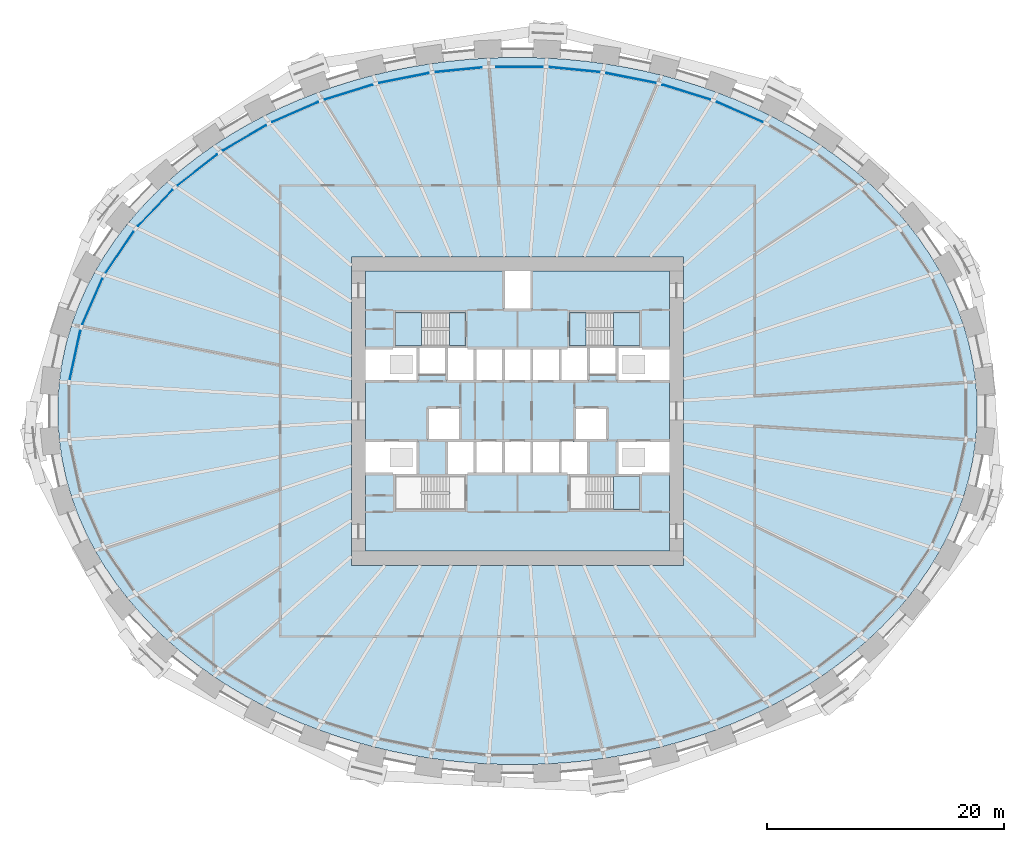
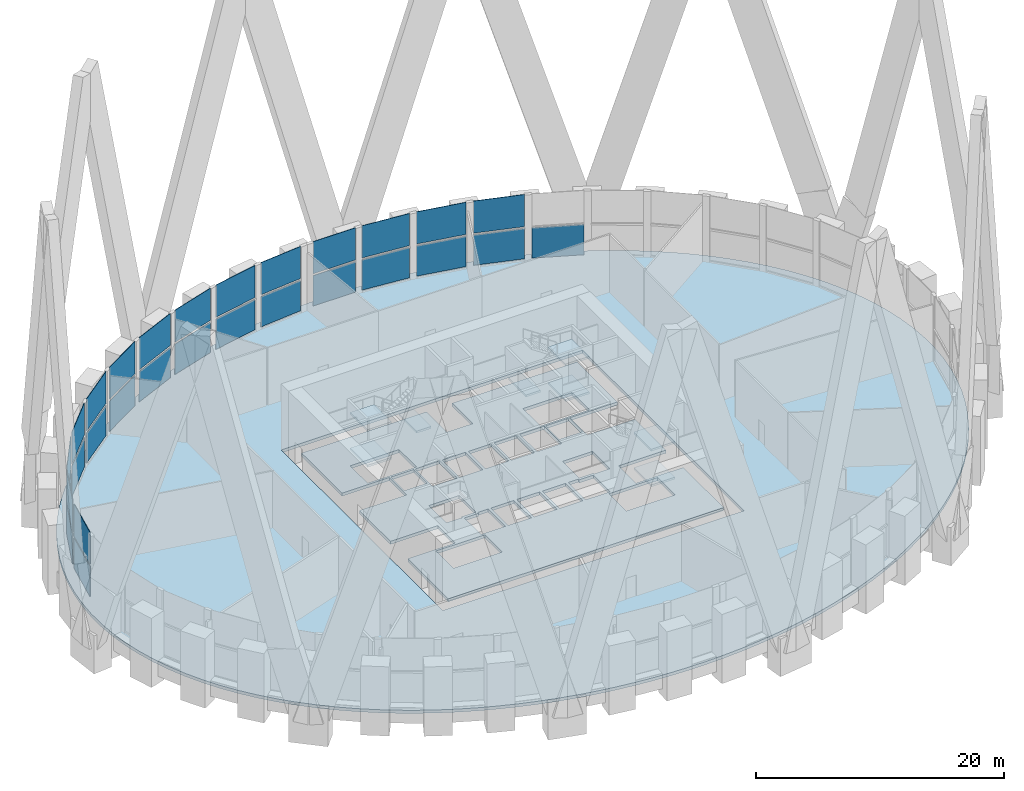
# One storey, part 7 of 17: 29 plates, 10 slabs, 5 elements without a shape of their own.
"""IFC4 building model written with IfcOpenShell, lengths in metres."""

from ifc_helpers import new_model, si_unit, direction, frame, origin, origin_2d, place, context, subcontext, project, spatial, polyline, rectangle, outline, extrude, source, transform, mapped, material, layer, layer_set, type_object, element, aggregate, save


model = new_model("IFC4")

# Units and contexts
model_context = context("Model", 3, precision=1e-05, world=origin(), true_north=direction((0.0, 1.0)))
body_context = subcontext(model_context, "Body", "Model", "MODEL_VIEW")
ifc_project = project(units=[si_unit("LENGTHUNIT", "METRE"), si_unit("AREAUNIT", "SQUARE_METRE"), si_unit("VOLUMEUNIT", "CUBIC_METRE"), si_unit("PLANEANGLEUNIT", "RADIAN"), si_unit("MASSUNIT", "GRAM", prefix="KILO")], contexts=[model_context])

# Site, building, storey
site_placement = place(None, origin())
site = spatial("IfcSite", under=ifc_project, at=site_placement, CompositionType="ELEMENT")
building_placement = place(site_placement, origin())
building = spatial("IfcBuilding", under=site, at=building_placement, Name="Embergate Tower", CompositionType="ELEMENT")
storey_placement = place(building_placement, frame((0.0, 0.0, 125.0)))
storey = spatial("IfcBuildingStorey", under=building, at=storey_placement, Name="L27", CompositionType="ELEMENT", Elevation=125.0)

# Slab
ifc_material_1 = material(Name="Concrete C50", Category="concrete")
ifc_layer_1 = layer(ifc_material_1, 0.300048828125)
ifc_layer_set_1 = layer_set([ifc_layer_1], Name="Concrete C50")
slab_type_1 = type_object("IfcSlabType", Name="Sky lobby floor slab C50 300", PredefinedType="FLOOR", material=ifc_layer_set_1)
shared_shape_1 = source(origin(), body_context, "Body", "SweptSolid", [
    extrude(outline(polyline([(0.0, 0.0), (1.63818359375, 0.0), (3.276123046875, 0.052978515625), (4.9140625, 0.16015625), (6.545166015625, 0.320068359375), (8.166015625, 0.5341796875), (9.7890625, 0.802978515625), (11.39599609375, 1.125), (12.983154296875, 1.5), (14.573974609375, 1.93408203125), (16.13916015625, 2.422119140625), (17.674072265625, 2.961181640625), (19.212158203125, 3.565185546875), (20.714111328125, 4.22216796875), (22.176025390625, 4.928955078125), (23.635986328125, 5.708984375), (25.049072265625, 6.5390625), (26.4111328125, 7.419189453125), (27.76318359375, 8.379150390625), (29.05517578125, 9.386962890625), (30.281982421875, 10.441162109375), (31.488037109375, 11.58203125), (32.6181640625, 12.76806640625), (33.671142578125, 13.9951171875), (34.68212890625, 15.31103515625), (35.60302734375, 16.6650390625), (36.43212890625, 18.053955078125), (37.192138671875, 19.525146484375), (37.85009765625, 21.025146484375), (38.403076171875, 22.549072265625), (38.860107421875, 24.133056640625), (39.205078125, 25.733154296875), (39.43603515625, 27.34619140625), (39.552001953125, 28.97998046875), (39.552001953125, 30.6181640625), (39.43603515625, 32.251953125), (39.205078125, 33.864990234375), (38.860107421875, 35.465087890625), (38.403076171875, 37.049072265625), (37.85009765625, 38.572998046875), (37.192138671875, 40.072998046875), (36.43212890625, 41.544189453125), (35.60302734375, 42.93310546875), (34.68212890625, 44.287109375), (33.671142578125, 45.60302734375), (32.6181640625, 46.830078125), (31.488037109375, 48.01611328125), (30.281982421875, 49.156982421875), (29.05517578125, 50.211181640625), (27.76318359375, 51.218994140625), (26.4111328125, 52.178955078125), (25.049072265625, 53.05908203125), (23.635986328125, 53.88916015625), (22.176025390625, 54.669189453125), (20.714111328125, 55.3759765625), (19.212158203125, 56.032958984375), (17.674072265625, 56.636962890625), (16.13916015625, 57.176025390625), (14.573974609375, 57.6640625), (12.983154296875, 58.09814453125), (11.39599609375, 58.47314453125), (9.7890625, 58.795166015625), (8.166015625, 59.06396484375), (6.545166015625, 59.278076171875), (4.9140625, 59.43798828125), (3.276123046875, 59.545166015625), (1.63818359375, 59.59814453125), (0.0, 59.59814453125), (-1.637939453125, 59.545166015625), (-3.27587890625, 59.43798828125), (-4.906982421875, 59.278076171875), (-6.52783203125, 59.06396484375), (-8.15087890625, 58.795166015625), (-9.7578125, 58.47314453125), (-11.344970703125, 58.09814453125), (-12.935791015625, 57.6640625), (-14.5009765625, 57.176025390625), (-16.035888671875, 56.636962890625), (-17.573974609375, 56.032958984375), (-19.075927734375, 55.3759765625), (-20.537841796875, 54.669189453125), (-21.997802734375, 53.88916015625), (-23.410888671875, 53.05908203125), (-24.77294921875, 52.178955078125), (-26.125, 51.218994140625), (-27.4169921875, 50.211181640625), (-28.643798828125, 49.156982421875), (-29.849853515625, 48.01611328125), (-30.97998046875, 46.830078125), (-32.032958984375, 45.60302734375), (-33.0439453125, 44.287109375), (-33.96484375, 42.93310546875), (-34.7939453125, 41.544189453125), (-35.553955078125, 40.072998046875), (-36.2119140625, 38.572998046875), (-36.764892578125, 37.049072265625), (-37.221923828125, 35.465087890625), (-37.56689453125, 33.864990234375), (-37.7978515625, 32.251953125), (-37.913818359375, 30.6181640625), (-37.913818359375, 28.97998046875), (-37.7978515625, 27.34619140625), (-37.56689453125, 25.733154296875), (-37.221923828125, 24.133056640625), (-36.764892578125, 22.549072265625), (-36.2119140625, 21.025146484375), (-35.553955078125, 19.525146484375), (-34.7939453125, 18.053955078125), (-33.96484375, 16.6650390625), (-33.0439453125, 15.31103515625), (-32.032958984375, 13.9951171875), (-30.97998046875, 12.76806640625), (-29.849853515625, 11.58203125), (-28.643798828125, 10.441162109375), (-27.4169921875, 9.386962890625), (-26.125, 8.379150390625), (-24.77294921875, 7.419189453125), (-23.410888671875, 6.5390625), (-21.997802734375, 5.708984375), (-20.537841796875, 4.928955078125), (-19.075927734375, 4.22216796875), (-17.573974609375, 3.565185546875), (-16.035888671875, 2.961181640625), (-14.5009765625, 2.422119140625), (-12.935791015625, 1.93408203125), (-11.344970703125, 1.5), (-9.7578125, 1.125), (-8.15087890625, 0.802978515625), (-6.52783203125, 0.5341796875), (-4.906982421875, 0.320068359375), (-3.27587890625, 0.16015625), (-1.637939453125, 0.052978515625), (0.0, 0.0)]), holes=[polyline([(-13.180908203125, 16.799072265625), (-13.180908203125, 42.799072265625), (14.819091796875, 42.799072265625), (14.819091796875, 16.799072265625), (-13.180908203125, 16.799072265625)])]), origin(), (0.0, 0.0, 1.0), 0.300048828125),
])
slab_1_placement = place(storey_placement, frame((-0.819091796875, -29.799072265625, -0.300048828125)))
element("IfcSlab", 1, at=slab_1_placement, inside=storey, type_object=slab_type_1, Name="SLB-L27-00", PredefinedType="FLOOR", context=body_context, shape_type="MappedRepresentation", body=[
    mapped(shared_shape_1, transform((0.0, 0.0, 0.0))),
])

# Curtain wall, plates
ifc_material_2 = material(Name="Aluminium and glass", Category="aluminium")
curtain_wall_type = type_object("IfcCurtainWallType", Name="Sky lobby high glazing", PredefinedType="NOTDEFINED", material=ifc_material_2)
curtain_wall_1_placement = place(storey_placement, origin())
curtain_wall_1 = element("IfcCurtainWall", 2, at=curtain_wall_1_placement, inside=storey, type_object=curtain_wall_type, Name="Sky lobby high glazing run 2", ObjectType="SKY LOBBY HIGH GLAZING", PredefinedType="USERDEFINED")
ifc_material_3 = material(Name="Triple glazing, low-emissivity coating", Category="glass")
ifc_layer_2 = layer(ifc_material_3, 0.0439453125)
ifc_layer_set_2 = layer_set([ifc_layer_2], Name="Triple glazing, low-emissivity coating")
plate_type = type_object("IfcPlateType", Name="Sky lobby glazing unit", PredefinedType="CURTAIN_PANEL", material=ifc_layer_set_2)
shared_shape_2 = source(origin(), body_context, "Body", "SweptSolid", [
    extrude(rectangle(XDim=4.172607421875, YDim=0.0439453125, at=origin_2d()), origin(), (0.0, 0.0, 1.0), 2.97998046875),
])
plate_1_placement = place(storey_placement, frame((-35.827392578125, 9.224365234375, 0.179931640625), z_axis=(0.0, 0.0, 1.0), x_axis=(-0.401658494584, -0.915789524797, 0.0)))
plate_1 = element("IfcPlate", 3, at=plate_1_placement, type_object=plate_type, Name="CW panel 9.1", PredefinedType="CURTAIN_PANEL", context=body_context, shape_type="MappedRepresentation", body=[
    mapped(shared_shape_2, transform((0.0, 0.0, 0.0))),
])
shared_shape_3 = source(origin(), body_context, "Body", "SweptSolid", [
    extrude(rectangle(XDim=4.172607421875, YDim=0.0439453125, at=origin_2d()), origin(), (0.0, 0.0, 1.0), 3.159912109375),
])
plate_2_placement = place(storey_placement, frame((-35.827392578125, 9.224365234375, 3.33984375), z_axis=(0.0, 0.0, 1.0), x_axis=(-0.401658494584, -0.915789524797, 0.0)))
plate_2 = element("IfcPlate", 4, at=plate_2_placement, type_object=plate_type, Name="CW panel 9.2", PredefinedType="CURTAIN_PANEL", context=body_context, shape_type="MappedRepresentation", body=[
    mapped(shared_shape_3, transform((0.0, 0.0, 0.0))),
])
shared_shape_4 = source(origin(), body_context, "Body", "SweptSolid", [
    extrude(rectangle(XDim=4.1826171875, YDim=0.0439453125, at=origin_2d()), origin(), (0.0, 0.0, 1.0), 2.97998046875),
])
plate_3_placement = place(storey_placement, frame((-33.524169921875, 13.38720703125, 0.179931640625), z_axis=(0.0, 0.0, 1.0), x_axis=(-0.562347514787, -0.826901005328, 0.0)))
plate_3 = element("IfcPlate", 5, at=plate_3_placement, type_object=plate_type, Name="CW panel 8.1", PredefinedType="CURTAIN_PANEL", context=body_context, shape_type="MappedRepresentation", body=[
    mapped(shared_shape_4, transform((0.0, 0.0, 0.0))),
])
shared_shape_5 = source(origin(), body_context, "Body", "SweptSolid", [
    extrude(rectangle(XDim=4.1826171875, YDim=0.0439453125, at=origin_2d()), origin(), (0.0, 0.0, 1.0), 3.159912109375),
])
plate_4_placement = place(storey_placement, frame((-33.524169921875, 13.38720703125, 3.33984375), z_axis=(0.0, 0.0, 1.0), x_axis=(-0.562347514787, -0.826901005328, 0.0)))
plate_4 = element("IfcPlate", 6, at=plate_4_placement, type_object=plate_type, Name="CW panel 8.2", PredefinedType="CURTAIN_PANEL", context=body_context, shape_type="MappedRepresentation", body=[
    mapped(shared_shape_5, transform((0.0, 0.0, 0.0))),
])
shared_shape_6 = source(origin(), body_context, "Body", "SweptSolid", [
    extrude(rectangle(XDim=4.1923828125, YDim=0.0439453125, at=origin_2d()), origin(), (0.0, 0.0, 1.0), 2.97998046875),
])
plate_5_placement = place(storey_placement, frame((-30.525634765625, 17.0986328125, 0.179931640625), z_axis=(0.0, 0.0, 1.0), x_axis=(-0.6901388367, -0.723676990154, 0.0)))
plate_5 = element("IfcPlate", 7, at=plate_5_placement, type_object=plate_type, Name="CW panel 7.1", PredefinedType="CURTAIN_PANEL", context=body_context, shape_type="MappedRepresentation", body=[
    mapped(shared_shape_6, transform((0.0, 0.0, 0.0))),
])
shared_shape_7 = source(origin(), body_context, "Body", "SweptSolid", [
    extrude(rectangle(XDim=4.1923828125, YDim=0.0439453125, at=origin_2d()), origin(), (0.0, 0.0, 1.0), 3.159912109375),
])
plate_6_placement = place(storey_placement, frame((-30.525634765625, 17.0986328125, 3.33984375), z_axis=(0.0, 0.0, 1.0), x_axis=(-0.6901388367, -0.723676990154, 0.0)))
plate_6 = element("IfcPlate", 8, at=plate_6_placement, type_object=plate_type, Name="CW panel 7.2", PredefinedType="CURTAIN_PANEL", context=body_context, shape_type="MappedRepresentation", body=[
    mapped(shared_shape_7, transform((0.0, 0.0, 0.0))),
])
shared_shape_8 = source(origin(), body_context, "Body", "SweptSolid", [
    extrude(rectangle(XDim=4.201171875, YDim=0.0439453125, at=origin_2d()), origin(), (0.0, 0.0, 1.0), 2.97998046875),
])
plate_7_placement = place(storey_placement, frame((-26.9794921875, 20.309814453125, 0.179931640625), z_axis=(0.0, 0.0, 1.0), x_axis=(-0.788323340765, -0.615261172515, 0.0)))
plate_7 = element("IfcPlate", 9, at=plate_7_placement, type_object=plate_type, Name="CW panel 6.1", PredefinedType="CURTAIN_PANEL", context=body_context, shape_type="MappedRepresentation", body=[
    mapped(shared_shape_8, transform((0.0, 0.0, 0.0))),
])
shared_shape_9 = source(origin(), body_context, "Body", "SweptSolid", [
    extrude(rectangle(XDim=4.201171875, YDim=0.0439453125, at=origin_2d()), origin(), (0.0, 0.0, 1.0), 3.159912109375),
])
plate_8_placement = place(storey_placement, frame((-26.9794921875, 20.309814453125, 3.33984375), z_axis=(0.0, 0.0, 1.0), x_axis=(-0.788323340765, -0.615261172515, 0.0)))
plate_8 = element("IfcPlate", 10, at=plate_8_placement, type_object=plate_type, Name="CW panel 6.2", PredefinedType="CURTAIN_PANEL", context=body_context, shape_type="MappedRepresentation", body=[
    mapped(shared_shape_9, transform((0.0, 0.0, 0.0))),
])
shared_shape_10 = source(origin(), body_context, "Body", "SweptSolid", [
    extrude(rectangle(XDim=4.2080078125, YDim=0.0439453125, at=origin_2d()), origin(), (0.0, 0.0, 1.0), 2.97998046875),
])
plate_9_placement = place(storey_placement, frame((-23.014892578125, 23.0048828125, 0.179931640625), z_axis=(0.0, 0.0, 1.0), x_axis=(-0.862054936934, -0.506814843614, 0.0)))
plate_9 = element("IfcPlate", 11, at=plate_9_placement, type_object=plate_type, Name="CW panel 5.1", PredefinedType="CURTAIN_PANEL", context=body_context, shape_type="MappedRepresentation", body=[
    mapped(shared_shape_10, transform((0.0, 0.0, 0.0))),
])
shared_shape_11 = source(origin(), body_context, "Body", "SweptSolid", [
    extrude(rectangle(XDim=4.2080078125, YDim=0.0439453125, at=origin_2d()), origin(), (0.0, 0.0, 1.0), 3.159912109375),
])
plate_10_placement = place(storey_placement, frame((-23.014892578125, 23.0048828125, 3.33984375), z_axis=(0.0, 0.0, 1.0), x_axis=(-0.862054936934, -0.506814843614, 0.0)))
plate_10 = element("IfcPlate", 12, at=plate_10_placement, type_object=plate_type, Name="CW panel 5.2", PredefinedType="CURTAIN_PANEL", context=body_context, shape_type="MappedRepresentation", body=[
    mapped(shared_shape_11, transform((0.0, 0.0, 0.0))),
])

# Curtain wall, plate
curtain_wall_2_placement = place(storey_placement, origin())
curtain_wall_2 = element("IfcCurtainWall", 13, at=curtain_wall_2_placement, inside=storey, type_object=curtain_wall_type, Name="Sky lobby high glazing run 1", ObjectType="SKY LOBBY HIGH GLAZING", PredefinedType="USERDEFINED")
shared_shape_12 = source(origin(), body_context, "Body", "SweptSolid", [
    extrude(rectangle(XDim=4.213134765625, YDim=0.0439453125, at=origin_2d()), origin(), (0.0, 0.0, 1.0), 2.97998046875),
])
plate_11_placement = place(storey_placement, frame((18.737548828125, 25.1875, 0.179931640625), z_axis=(0.0, 0.0, 1.0), x_axis=(-0.916237610228, 0.400635297502, 0.0)))
plate_11 = element("IfcPlate", 14, at=plate_11_placement, type_object=plate_type, Name="CW panel 7.1", PredefinedType="CURTAIN_PANEL", context=body_context, shape_type="MappedRepresentation", body=[
    mapped(shared_shape_12, transform((0.0, 0.0, 0.0))),
])

# Plate
plate_12_placement = place(storey_placement, frame((-18.737548828125, 25.1875, 0.179931640625), z_axis=(0.0, 0.0, 1.0), x_axis=(-0.916237610228, -0.400635297502, 0.0)))
plate_12 = element("IfcPlate", 15, at=plate_12_placement, type_object=plate_type, Name="CW panel 4.1", PredefinedType="CURTAIN_PANEL", context=body_context, shape_type="MappedRepresentation", body=[
    mapped(shared_shape_12, transform((0.0, 0.0, 0.0))),
])

shared_shape_13 = source(origin(), body_context, "Body", "SweptSolid", [
    extrude(rectangle(XDim=4.213134765625, YDim=0.0439453125, at=origin_2d()), origin(), (0.0, 0.0, 1.0), 3.159912109375),
])
plate_13_placement = place(storey_placement, frame((-18.737548828125, 25.1875, 3.33984375), z_axis=(0.0, 0.0, 1.0), x_axis=(-0.916237610228, -0.400635297502, 0.0)))
plate_13 = element("IfcPlate", 16, at=plate_13_placement, type_object=plate_type, Name="CW panel 4.2", PredefinedType="CURTAIN_PANEL", context=body_context, shape_type="MappedRepresentation", body=[
    mapped(shared_shape_13, transform((0.0, 0.0, 0.0))),
])

shared_shape_14 = source(origin(), body_context, "Body", "SweptSolid", [
    extrude(rectangle(XDim=4.216796875, YDim=0.0439453125, at=origin_2d()), origin(), (0.0, 0.0, 1.0), 2.97998046875),
])
plate_14_placement = place(storey_placement, frame((14.23291015625, 26.867919921875, 0.179931640625), z_axis=(0.0, 0.0, 1.0), x_axis=(-0.954772736126, 0.297336547283, 0.0)))
plate_14 = element("IfcPlate", 17, at=plate_14_placement, type_object=plate_type, Name="CW panel 8.1", PredefinedType="CURTAIN_PANEL", context=body_context, shape_type="MappedRepresentation", body=[
    mapped(shared_shape_14, transform((0.0, 0.0, 0.0))),
])

plate_15_placement = place(storey_placement, frame((-14.23291015625, 26.867919921875, 0.179931640625), z_axis=(0.0, 0.0, 1.0), x_axis=(-0.954772736126, -0.297336547283, 0.0)))
plate_15 = element("IfcPlate", 18, at=plate_15_placement, type_object=plate_type, Name="CW panel 3.1", PredefinedType="CURTAIN_PANEL", context=body_context, shape_type="MappedRepresentation", body=[
    mapped(shared_shape_14, transform((0.0, 0.0, 0.0))),
])

shared_shape_15 = source(origin(), body_context, "Body", "SweptSolid", [
    extrude(rectangle(XDim=4.216796875, YDim=0.0439453125, at=origin_2d()), origin(), (0.0, 0.0, 1.0), 3.159912109375),
])
plate_16_placement = place(storey_placement, frame((14.23291015625, 26.867919921875, 3.33984375), z_axis=(0.0, 0.0, 1.0), x_axis=(-0.954772736126, 0.297336547283, 0.0)))
plate_16 = element("IfcPlate", 19, at=plate_16_placement, type_object=plate_type, Name="CW panel 8.2", PredefinedType="CURTAIN_PANEL", context=body_context, shape_type="MappedRepresentation", body=[
    mapped(shared_shape_15, transform((0.0, 0.0, 0.0))),
])

plate_17_placement = place(storey_placement, frame((-14.23291015625, 26.867919921875, 3.33984375), z_axis=(0.0, 0.0, 1.0), x_axis=(-0.954772736126, -0.297336547283, 0.0)))
plate_17 = element("IfcPlate", 20, at=plate_17_placement, type_object=plate_type, Name="CW panel 3.2", PredefinedType="CURTAIN_PANEL", context=body_context, shape_type="MappedRepresentation", body=[
    mapped(shared_shape_15, transform((0.0, 0.0, 0.0))),
])

shared_shape_16 = source(origin(), body_context, "Body", "SweptSolid", [
    extrude(rectangle(XDim=4.21923828125, YDim=0.0439453125, at=origin_2d()), origin(), (0.0, 0.0, 1.0), 2.97998046875),
])
plate_18_placement = place(storey_placement, frame((9.57080078125, 28.0576171875, 0.179931640625), z_axis=(0.0, 0.0, 1.0), x_axis=(-0.980476250608, 0.196637539636, 0.0)))
plate_18 = element("IfcPlate", 21, at=plate_18_placement, type_object=plate_type, Name="CW panel 9.1", PredefinedType="CURTAIN_PANEL", context=body_context, shape_type="MappedRepresentation", body=[
    mapped(shared_shape_16, transform((0.0, 0.0, 0.0))),
])

plate_19_placement = place(storey_placement, frame((-9.57080078125, 28.0576171875, 0.179931640625), z_axis=(0.0, 0.0, 1.0), x_axis=(-0.980476250608, -0.196637539636, 0.0)))
plate_19 = element("IfcPlate", 22, at=plate_19_placement, type_object=plate_type, Name="CW panel 2.1", PredefinedType="CURTAIN_PANEL", context=body_context, shape_type="MappedRepresentation", body=[
    mapped(shared_shape_16, transform((0.0, 0.0, 0.0))),
])

shared_shape_17 = source(origin(), body_context, "Body", "SweptSolid", [
    extrude(rectangle(XDim=4.21923828125, YDim=0.0439453125, at=origin_2d()), origin(), (0.0, 0.0, 1.0), 3.159912109375),
])
plate_20_placement = place(storey_placement, frame((9.57080078125, 28.0576171875, 3.33984375), z_axis=(0.0, 0.0, 1.0), x_axis=(-0.980476250608, 0.196637539636, 0.0)))
plate_20 = element("IfcPlate", 23, at=plate_20_placement, type_object=plate_type, Name="CW panel 9.2", PredefinedType="CURTAIN_PANEL", context=body_context, shape_type="MappedRepresentation", body=[
    mapped(shared_shape_17, transform((0.0, 0.0, 0.0))),
])

plate_21_placement = place(storey_placement, frame((-9.57080078125, 28.0576171875, 3.33984375), z_axis=(0.0, 0.0, 1.0), x_axis=(-0.980476250608, -0.196637539636, 0.0)))
plate_21 = element("IfcPlate", 24, at=plate_21_placement, type_object=plate_type, Name="CW panel 2.2", PredefinedType="CURTAIN_PANEL", context=body_context, shape_type="MappedRepresentation", body=[
    mapped(shared_shape_17, transform((0.0, 0.0, 0.0))),
])

shared_shape_18 = source(origin(), body_context, "Body", "SweptSolid", [
    extrude(rectangle(XDim=4.220703125, YDim=0.0439453125, at=origin_2d()), origin(), (0.0, 0.0, 1.0), 2.97998046875),
])
plate_22_placement = place(storey_placement, frame((4.8095703125, 28.767333984375, 0.179931640625), z_axis=(0.0, 0.0, 1.0), x_axis=(-0.995203355531, 0.09782781373, 0.0)))
plate_22 = element("IfcPlate", 25, at=plate_22_placement, type_object=plate_type, Name="CW panel 10.1", PredefinedType="CURTAIN_PANEL", context=body_context, shape_type="MappedRepresentation", body=[
    mapped(shared_shape_18, transform((0.0, 0.0, 0.0))),
])

shared_shape_19 = source(origin(), body_context, "Body", "SweptSolid", [
    extrude(rectangle(XDim=4.220703125, YDim=0.0439453125, at=origin_2d()), origin(), (0.0, 0.0, 1.0), 3.159912109375),
])
plate_23_placement = place(storey_placement, frame((4.8095703125, 28.767333984375, 3.33984375), z_axis=(0.0, 0.0, 1.0), x_axis=(-0.995203355531, 0.09782781373, 0.0)))
plate_23 = element("IfcPlate", 26, at=plate_23_placement, type_object=plate_type, Name="CW panel 10.2", PredefinedType="CURTAIN_PANEL", context=body_context, shape_type="MappedRepresentation", body=[
    mapped(shared_shape_19, transform((0.0, 0.0, 0.0))),
])

shared_shape_20 = source(origin(), body_context, "Body", "SweptSolid", [
    extrude(rectangle(XDim=3.92138671875, YDim=0.0439453125, at=origin_2d()), origin(), (0.0, 0.0, 1.0), 2.97998046875),
])
plate_24_placement = place(storey_placement, frame((0.14990234375, 29.003173828125, 0.179931640625), z_axis=(0.0, 0.0, 1.0), x_axis=(-1.0, 0.0, 0.0)))
plate_24 = element("IfcPlate", 27, at=plate_24_placement, type_object=plate_type, Name="CW panel 11.1", PredefinedType="CURTAIN_PANEL", context=body_context, shape_type="MappedRepresentation", body=[
    mapped(shared_shape_20, transform((0.0, 0.0, 0.0))),
])

shared_shape_21 = source(origin(), body_context, "Body", "SweptSolid", [
    extrude(rectangle(XDim=3.92138671875, YDim=0.0439453125, at=origin_2d()), origin(), (0.0, 0.0, 1.0), 3.159912109375),
])
plate_25_placement = place(storey_placement, frame((0.14990234375, 29.003173828125, 3.33984375), z_axis=(0.0, 0.0, 1.0), x_axis=(-1.0, 0.0, 0.0)))
plate_25 = element("IfcPlate", 28, at=plate_25_placement, type_object=plate_type, Name="CW panel 11.2", PredefinedType="CURTAIN_PANEL", context=body_context, shape_type="MappedRepresentation", body=[
    mapped(shared_shape_21, transform((0.0, 0.0, 0.0))),
])

aggregate(curtain_wall_2, [plate_11, plate_14, plate_16, plate_18, plate_20, plate_22, plate_23, plate_24, plate_25])

shared_shape_22 = source(origin(), body_context, "Body", "SweptSolid", [
    extrude(rectangle(XDim=3.9208984375, YDim=0.0439453125, at=origin_2d()), origin(), (0.0, 0.0, 1.0), 2.97998046875),
])
plate_26_placement = place(storey_placement, frame((-4.958740234375, 28.752685546875, 0.179931640625), z_axis=(0.0, 0.0, 1.0), x_axis=(-0.995203355531, -0.09782781373, 0.0)))
plate_26 = element("IfcPlate", 29, at=plate_26_placement, type_object=plate_type, Name="CW panel 1.1", PredefinedType="CURTAIN_PANEL", context=body_context, shape_type="MappedRepresentation", body=[
    mapped(shared_shape_22, transform((0.0, 0.0, 0.0))),
])

shared_shape_23 = source(origin(), body_context, "Body", "SweptSolid", [
    extrude(rectangle(XDim=3.9208984375, YDim=0.0439453125, at=origin_2d()), origin(), (0.0, 0.0, 1.0), 3.159912109375),
])
plate_27_placement = place(storey_placement, frame((-4.958740234375, 28.752685546875, 3.33984375), z_axis=(0.0, 0.0, 1.0), x_axis=(-0.995203355531, -0.09782781373, 0.0)))
plate_27 = element("IfcPlate", 30, at=plate_27_placement, type_object=plate_type, Name="CW panel 1.2", PredefinedType="CURTAIN_PANEL", context=body_context, shape_type="MappedRepresentation", body=[
    mapped(shared_shape_23, transform((0.0, 0.0, 0.0))),
])

shared_shape_24 = source(origin(), body_context, "Body", "SweptSolid", [
    extrude(rectangle(XDim=4.164794921875, YDim=0.0439453125, at=origin_2d()), origin(), (0.0, 0.0, 1.0), 2.97998046875),
])
plate_28_placement = place(storey_placement, frame((-37.287109375, 4.7099609375, 0.179931640625), z_axis=(0.0, 0.0, 1.0), x_axis=(-0.210401803698, -0.977614996305, 0.0)))
plate_28 = element("IfcPlate", 31, at=plate_28_placement, type_object=plate_type, Name="CW panel 10.1", PredefinedType="CURTAIN_PANEL", context=body_context, shape_type="MappedRepresentation", body=[
    mapped(shared_shape_24, transform((0.0, 0.0, 0.0))),
])

shared_shape_25 = source(origin(), body_context, "Body", "SweptSolid", [
    extrude(rectangle(XDim=4.164794921875, YDim=0.0439453125, at=origin_2d()), origin(), (0.0, 0.0, 1.0), 3.159912109375),
])
plate_29_placement = place(storey_placement, frame((-37.287109375, 4.7099609375, 3.33984375), z_axis=(0.0, 0.0, 1.0), x_axis=(-0.210401803698, -0.977614996305, 0.0)))
plate_29 = element("IfcPlate", 32, at=plate_29_placement, type_object=plate_type, Name="CW panel 10.2", PredefinedType="CURTAIN_PANEL", context=body_context, shape_type="MappedRepresentation", body=[
    mapped(shared_shape_25, transform((0.0, 0.0, 0.0))),
])

aggregate(curtain_wall_1, [plate_26, plate_27, plate_19, plate_21, plate_15, plate_17, plate_12, plate_13, plate_9, plate_10, plate_7, plate_8, plate_5, plate_6, plate_3, plate_4, plate_1, plate_2, plate_28, plate_29])

# Stair, slab
ifc_material_4 = material(Name="Exit stair")
stair_type = type_object("IfcStairType", Name="Exit stair", PredefinedType="HALF_TURN_STAIR", material=ifc_material_4)
stair_1_placement = place(storey_placement, origin())
stair_1 = element("IfcStair", 33, at=stair_1_placement, inside=storey, type_object=stair_type, Name="L27 Exit stair 1", PredefinedType="HALF_TURN_STAIR")
ifc_material_5 = material(Name="Concrete C40", Category="concrete")
ifc_layer_3 = layer(ifc_material_5, 0.199951171875)
ifc_layer_set_3 = layer_set([ifc_layer_3], Name="Concrete C40")
slab_type_2 = type_object("IfcSlabType", Name="Stair landing reinforced concrete", PredefinedType="LANDING", material=ifc_layer_set_3)
shared_shape_26 = source(origin(), body_context, "Body", "SweptSolid", [
    extrude(outline(polyline([(0.0, 0.0), (1.35009765625, 0.0), (1.35009765625, 2.800048828125), (0.0, 2.800048828125), (0.0, 0.0)])), origin(), (0.0, 0.0, 1.0), 0.199951171875),
])
slab_2_placement = place(storey_placement, frame((-5.75, 5.5, 3.300048828125)))
slab_2 = element("IfcSlab", 34, at=slab_2_placement, type_object=slab_type_2, Name="ST1 landing 2", PredefinedType="LANDING", context=body_context, shape_type="MappedRepresentation", body=[
    mapped(shared_shape_26, transform((0.0, 0.0, 0.0))),
])

stair_2_placement = place(storey_placement, origin())
stair_2 = element("IfcStair", 35, at=stair_2_placement, inside=storey, type_object=stair_type, Name="L27 Exit stair 2", PredefinedType="HALF_TURN_STAIR")
slab_3_placement = place(storey_placement, frame((4.39990234375, 5.5, 3.300048828125)))
slab_3 = element("IfcSlab", 36, at=slab_3_placement, type_object=slab_type_2, Name="ST2 landing 2", PredefinedType="LANDING", context=body_context, shape_type="MappedRepresentation", body=[
    mapped(shared_shape_26, transform((0.0, 0.0, 0.0))),
])

# Slab
shared_shape_27 = source(origin(), body_context, "Body", "SweptSolid", [
    extrude(outline(polyline([(0.0, 0.0), (2.2099609375, 0.0), (2.2099609375, 2.800048828125), (0.0, 2.800048828125), (0.0, 0.0)])), origin(), (0.0, 0.0, 1.0), 0.199951171875),
])
slab_4_placement = place(storey_placement, frame((-10.300048828125, 5.5, 1.550048828125)))
slab_4 = element("IfcSlab", 37, at=slab_4_placement, type_object=slab_type_2, Name="ST1 landing 1", PredefinedType="LANDING", context=body_context, shape_type="MappedRepresentation", body=[
    mapped(shared_shape_27, transform((0.0, 0.0, 0.0))),
])

slab_5_placement = place(storey_placement, frame((-10.300048828125, 5.5, 5.050048828125)))
slab_5 = element("IfcSlab", 38, at=slab_5_placement, type_object=slab_type_2, Name="ST1 landing 3", PredefinedType="LANDING", context=body_context, shape_type="MappedRepresentation", body=[
    mapped(shared_shape_27, transform((0.0, 0.0, 0.0))),
])

aggregate(stair_1, [slab_4, slab_2, slab_5])

slab_6_placement = place(storey_placement, frame((8.090087890625, 5.5, 1.550048828125)))
slab_6 = element("IfcSlab", 39, at=slab_6_placement, type_object=slab_type_2, Name="ST2 landing 1", PredefinedType="LANDING", context=body_context, shape_type="MappedRepresentation", body=[
    mapped(shared_shape_27, transform((0.0, 0.0, 0.0))),
])

slab_7_placement = place(storey_placement, frame((8.090087890625, 5.5, 5.050048828125)))
slab_7 = element("IfcSlab", 40, at=slab_7_placement, type_object=slab_type_2, Name="ST2 landing 3", PredefinedType="LANDING", context=body_context, shape_type="MappedRepresentation", body=[
    mapped(shared_shape_27, transform((0.0, 0.0, 0.0))),
])

aggregate(stair_2, [slab_6, slab_3, slab_7])

# Stair, slabs
stair_3_placement = place(storey_placement, origin())
stair_3 = element("IfcStair", 41, at=stair_3_placement, inside=storey, type_object=stair_type, Name="L27 Exit stair 4", PredefinedType="HALF_TURN_STAIR")
slab_8_placement = place(storey_placement, frame((8.090087890625, -8.300048828125, 1.550048828125)))
slab_8 = element("IfcSlab", 42, at=slab_8_placement, type_object=slab_type_2, Name="ST4 landing 1", PredefinedType="LANDING", context=body_context, shape_type="MappedRepresentation", body=[
    mapped(shared_shape_27, transform((0.0, 0.0, 0.0))),
])
slab_9_placement = place(storey_placement, frame((8.090087890625, -8.300048828125, 5.050048828125)))
slab_9 = element("IfcSlab", 43, at=slab_9_placement, type_object=slab_type_2, Name="ST4 landing 3", PredefinedType="LANDING", context=body_context, shape_type="MappedRepresentation", body=[
    mapped(shared_shape_27, transform((0.0, 0.0, 0.0))),
])
aggregate(stair_3, [slab_8, slab_9])

# Slab
ifc_layer_4 = layer(ifc_material_5, 0.300048828125)
ifc_layer_set_4 = layer_set([ifc_layer_4], Name="Concrete C40")
slab_type_3 = type_object("IfcSlabType", Name="Core floor slab 300 reinforced concrete", PredefinedType="FLOOR", material=ifc_layer_set_4)
shared_shape_28 = source(origin(), body_context, "Body", "SweptSolid", [
    extrude(outline(polyline([(0.0, 0.0), (25.60009765625, 0.0), (25.60009765625, 6.5), (21.199951171875, 6.5), (21.199951171875, 9.300048828125), (25.60009765625, 9.300048828125), (25.60009765625, 14.300048828125), (21.199951171875, 14.300048828125), (21.199951171875, 17.10009765625), (25.60009765625, 17.10009765625), (25.60009765625, 23.60009765625), (14.0, 23.60009765625), (14.0, 20.300048828125), (11.60009765625, 20.300048828125), (11.60009765625, 23.60009765625), (0.0, 23.60009765625), (0.0, 17.10009765625), (4.400146484375, 17.10009765625), (4.400146484375, 14.300048828125), (0.0, 14.300048828125), (0.0, 9.300048828125), (4.400146484375, 9.300048828125), (4.400146484375, 6.5), (0.0, 6.5), (0.0, 0.0)]), holes=[polyline([(2.5, 3.5), (2.5, 6.300048828125), (7.0400390625, 6.300048828125), (7.0400390625, 3.5), (2.5, 3.5)]), polyline([(18.56005859375, 3.5), (18.56005859375, 6.300048828125), (23.10009765625, 6.300048828125), (23.10009765625, 3.5), (18.56005859375, 3.5)]), polyline([(6.800048828125, 6.5), (6.800048828125, 9.175048828125), (8.125, 9.175048828125), (8.125, 9.300048828125), (9.074951171875, 9.300048828125), (9.074951171875, 6.5), (6.800048828125, 6.5)]), polyline([(9.324951171875, 6.5), (9.324951171875, 9.300048828125), (11.47509765625, 9.300048828125), (11.47509765625, 6.5), (9.324951171875, 6.5)]), polyline([(11.72509765625, 6.5), (11.72509765625, 9.300048828125), (13.875, 9.300048828125), (13.875, 6.5), (11.72509765625, 6.5)]), polyline([(14.125, 6.5), (14.125, 9.300048828125), (16.275146484375, 9.300048828125), (16.275146484375, 6.5), (14.125, 6.5)]), polyline([(16.525146484375, 6.5), (16.525146484375, 9.300048828125), (17.47509765625, 9.300048828125), (17.47509765625, 9.175048828125), (18.800048828125, 9.175048828125), (18.800048828125, 6.5), (16.525146484375, 6.5)]), polyline([(5.199951171875, 9.300048828125), (5.199951171875, 12.10009765625), (8.0, 12.10009765625), (8.0, 9.425048828125), (6.675048828125, 9.425048828125), (6.675048828125, 9.300048828125), (5.199951171875, 9.300048828125)]), polyline([(18.925048828125, 9.300048828125), (18.925048828125, 9.425048828125), (17.60009765625, 9.425048828125), (17.60009765625, 12.10009765625), (20.400146484375, 12.10009765625), (20.400146484375, 9.300048828125), (18.925048828125, 9.300048828125)]), polyline([(6.800048828125, 14.300048828125), (6.800048828125, 17.10009765625), (9.074951171875, 17.10009765625), (9.074951171875, 14.300048828125), (6.800048828125, 14.300048828125)]), polyline([(9.324951171875, 14.300048828125), (9.324951171875, 17.10009765625), (11.47509765625, 17.10009765625), (11.47509765625, 14.300048828125), (9.324951171875, 14.300048828125)]), polyline([(11.72509765625, 14.300048828125), (11.72509765625, 17.10009765625), (13.875, 17.10009765625), (13.875, 14.300048828125), (11.72509765625, 14.300048828125)]), polyline([(14.125, 14.300048828125), (14.125, 17.10009765625), (16.275146484375, 17.10009765625), (16.275146484375, 14.300048828125), (14.125, 14.300048828125)]), polyline([(16.525146484375, 14.300048828125), (16.525146484375, 17.10009765625), (18.800048828125, 17.10009765625), (18.800048828125, 14.300048828125), (16.525146484375, 14.300048828125)]), polyline([(4.525146484375, 14.900146484375), (4.525146484375, 17.10009765625), (6.675048828125, 17.10009765625), (6.675048828125, 14.900146484375), (4.525146484375, 14.900146484375)]), polyline([(18.925048828125, 14.900146484375), (18.925048828125, 17.10009765625), (21.074951171875, 17.10009765625), (21.074951171875, 14.900146484375), (18.925048828125, 14.900146484375)]), polyline([(2.5, 17.300048828125), (2.5, 20.10009765625), (7.0400390625, 20.10009765625), (7.0400390625, 17.300048828125), (2.5, 17.300048828125)]), polyline([(18.56005859375, 17.300048828125), (18.56005859375, 20.10009765625), (23.10009765625, 20.10009765625), (23.10009765625, 17.300048828125), (18.56005859375, 17.300048828125)])]), origin(), (0.0, 0.0, 1.0), 0.300048828125),
])
slab_10_placement = place(storey_placement, frame((-12.800048828125, -11.800048828125, -0.300048828125)))
element("IfcSlab", 44, at=slab_10_placement, inside=storey, type_object=slab_type_3, Name="Core floor slab", PredefinedType="FLOOR", context=body_context, shape_type="MappedRepresentation", body=[
    mapped(shared_shape_28, transform((0.0, 0.0, 0.0))),
])

save(model, "model.ifc")
